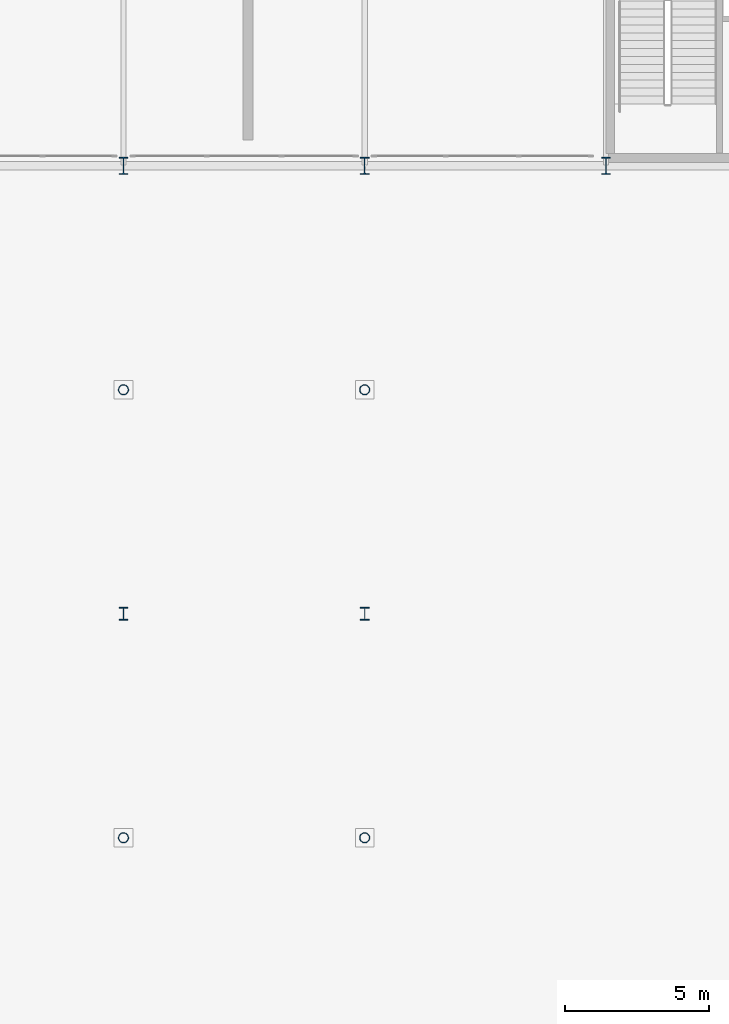
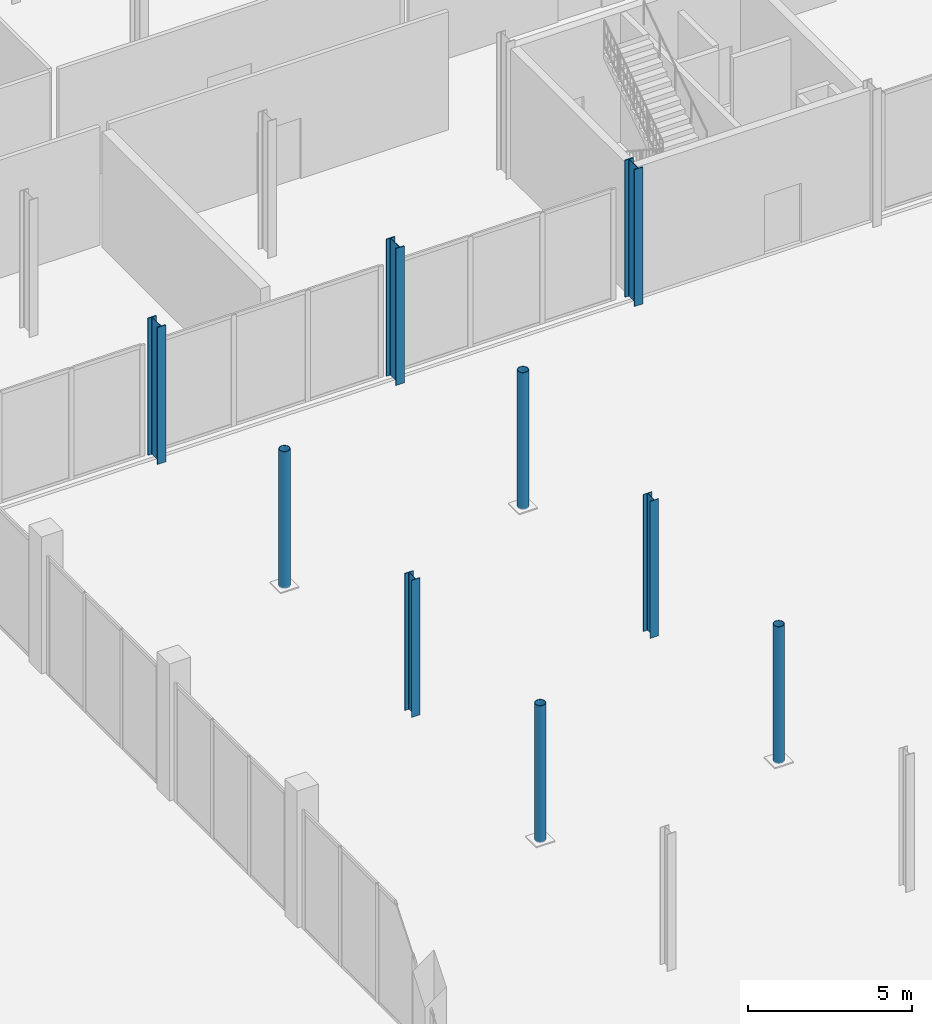
# One storey, part 9 of 80: 9 columns.
"""IFC4 building model written with IfcOpenShell, lengths in metres."""

from ifc_helpers import new_model, si_unit, direction, frame, origin, origin_2d, place, context, subcontext, project, spatial, hollow_circle, i_section, extrude, material, material_profile, profile_set, type_object, element, save


model = new_model("IFC4")

# Units and contexts
model_context = context("Model", 3, precision=1e-05, world=origin(), true_north=direction((0.0, 1.0)))
body_context = subcontext(model_context, "Body", "Model", "MODEL_VIEW")
ifc_project = project(units=[si_unit("LENGTHUNIT", "METRE"), si_unit("AREAUNIT", "SQUARE_METRE"), si_unit("VOLUMEUNIT", "CUBIC_METRE"), si_unit("PLANEANGLEUNIT", "RADIAN"), si_unit("MASSUNIT", "GRAM", prefix="KILO")], contexts=[model_context])

# Site, building, storey
site_placement = place(None, origin())
site = spatial("IfcSite", under=ifc_project, at=site_placement, CompositionType="ELEMENT")
building_placement = place(site_placement, origin())
building = spatial("IfcBuilding", under=site, at=building_placement, Name="Nabrawat Pavilion Hospital", CompositionType="ELEMENT")
storey_placement = place(building_placement, origin())
storey = spatial("IfcBuildingStorey", under=building, at=storey_placement, Name="L00", CompositionType="ELEMENT", Elevation=0.0)

# Columns
ifc_material = material(Name="Steel S355", Category="steel")
ifc_material_profile_1 = material_profile(ifc_material, i_section(OverallWidth=0.300048828125, OverallDepth=0.60009765625, WebThickness=0.015380859375, FlangeThickness=0.030029296875, FilletRadius=0.027099609375, at=origin_2d()), Name="HEB 600")
ifc_profile_set_1 = profile_set([ifc_material_profile_1], Name="Steel S355")
column_type_1 = type_object("IfcColumnType", Name="Composite Steel Column HEB 600", PredefinedType="COLUMN", material=ifc_profile_set_1)
for number, where, z_axis, x_axis, name in (
    (1, (75.60009765625, 85.800048828125, 0.0), (0.0, 0.0, 1.0), (1.0, 0.0, 0.0), "L00 Structural Column G-10-M1"),
    (2, (84.0, 85.800048828125, 0.0), (0.0, 0.0, 1.0), (1.0, 0.0, 0.0), "L00 Structural Column G-11-M1"),
    (3, (67.199951171875, 85.800048828125, 0.0), (0.0, 0.0, 1.0), (1.0, 0.0, 0.0), "L00 Structural Column G-9-M1"),
):
    element("IfcColumn", number, at=place(storey_placement, frame(where, z_axis=z_axis, x_axis=x_axis)), inside=storey, type_object=column_type_1, Name=name, PredefinedType="COLUMN", context=body_context, shape_type="SweptSolid", body=[
        extrude(i_section(OverallWidth=0.300048828125, OverallDepth=0.60009765625, WebThickness=0.015380859375, FlangeThickness=0.030029296875, FilletRadius=0.027099609375, at=origin_2d()), origin(), (0.0, 0.0, 1.0), 5.10009765625),
    ])
ifc_material_profile_2 = material_profile(ifc_material, hollow_circle(Radius=0.177734375, WallThickness=0.01611328125, at=origin_2d()), Name="CHS 355.6x16")
ifc_profile_set_2 = profile_set([ifc_material_profile_2], Name="Steel S355")
column_type_2 = type_object("IfcColumnType", Name="Courtyard Link Bridge Column CHS 355.6x16", PredefinedType="COLUMN", material=ifc_profile_set_2)
for number, where, z_axis, x_axis, name in (
    (4, (75.60009765625, 62.39990234375, 0.0), (0.0, 0.0, 1.0), (1.0, 0.0, 0.0), "L00 Structural Column G-10-J"),
    (5, (75.60009765625, 78.0, 0.0), (0.0, 0.0, 1.0), (1.0, 0.0, 0.0), "L00 Structural Column G-10-L"),
    (6, (67.199951171875, 62.39990234375, 0.0), (0.0, 0.0, 1.0), (1.0, 0.0, 0.0), "L00 Structural Column G-9-J"),
    (7, (67.199951171875, 78.0, 0.0), (0.0, 0.0, 1.0), (1.0, 0.0, 0.0), "L00 Structural Column G-9-L"),
):
    element("IfcColumn", number, at=place(storey_placement, frame(where, z_axis=z_axis, x_axis=x_axis)), inside=storey, type_object=column_type_2, Name=name, PredefinedType="COLUMN", context=body_context, shape_type="SweptSolid", body=[
        extrude(hollow_circle(Radius=0.177734375, WallThickness=0.01611328125, at=origin_2d()), origin(), (0.0, 0.0, 1.0), 5.10009765625),
    ])
ifc_material_profile_3 = material_profile(ifc_material, i_section(OverallWidth=0.300048828125, OverallDepth=0.43994140625, WebThickness=0.011474609375, FlangeThickness=0.02099609375, FilletRadius=0.027099609375, at=origin_2d()), Name="HEA 450")
ifc_profile_set_3 = profile_set([ifc_material_profile_3], Name="Steel S355")
column_type_3 = type_object("IfcColumnType", Name="Emergency Wing Steel Column HEA 450", PredefinedType="COLUMN", material=ifc_profile_set_3)
for number, where, z_axis, x_axis, name in (
    (8, (75.60009765625, 70.199951171875, 0.0), (0.0, 0.0, 1.0), (1.0, 0.0, 0.0), "L00 Structural Column G-10-K"),
    (9, (67.199951171875, 70.199951171875, 0.0), (0.0, 0.0, 1.0), (1.0, 0.0, 0.0), "L00 Structural Column G-9-K"),
):
    element("IfcColumn", number, at=place(storey_placement, frame(where, z_axis=z_axis, x_axis=x_axis)), inside=storey, type_object=column_type_3, Name=name, PredefinedType="COLUMN", context=body_context, shape_type="SweptSolid", body=[
        extrude(i_section(OverallWidth=0.300048828125, OverallDepth=0.43994140625, WebThickness=0.011474609375, FlangeThickness=0.02099609375, FilletRadius=0.027099609375, at=origin_2d()), origin(), (0.0, 0.0, 1.0), 5.10009765625),
    ])

save(model, "model.ifc")
